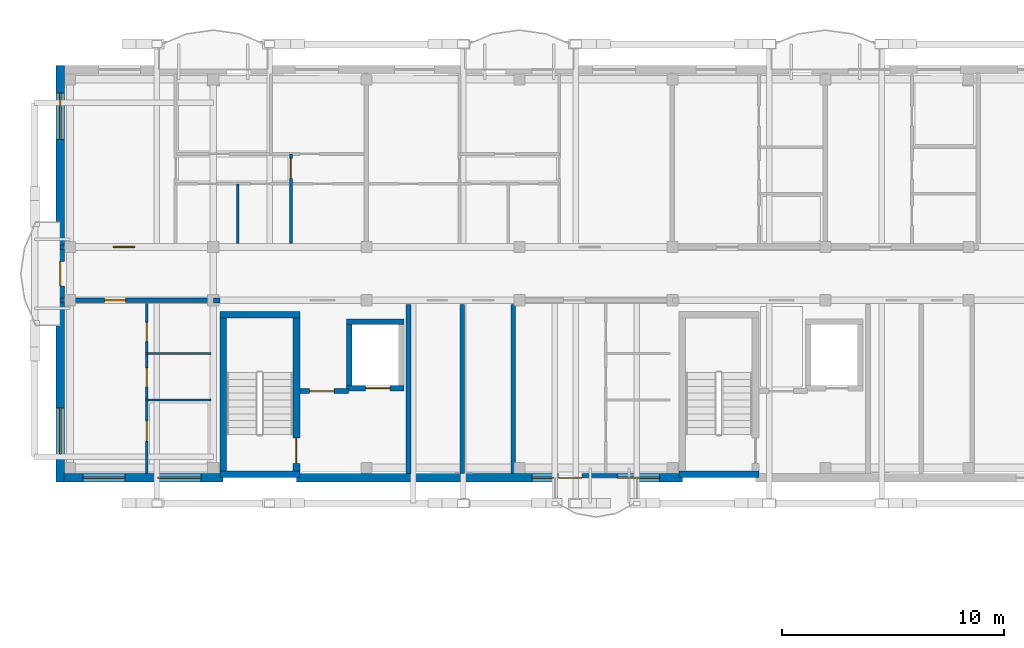
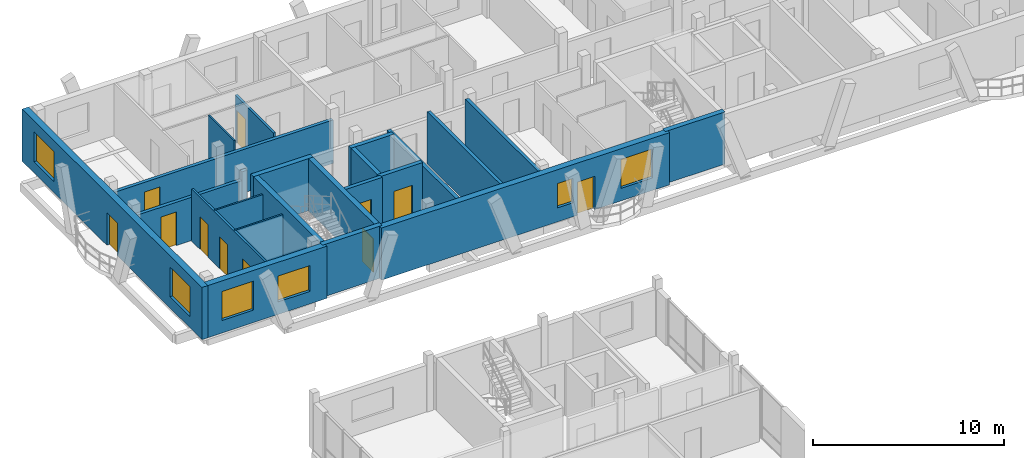
# One storey, part 151 of 189: 23 walls, 11 doors, 6 windows, 17 openings.
"""IFC4 building model written with IfcOpenShell, lengths in metres."""

from ifc_helpers import new_model, si_unit, direction, frame, frame_2d, origin, origin_with_axes, place, context, subcontext, project, spatial, rectangle, extrude, material, layer, layer_set, type_object, element, fill, save


model = new_model("IFC4")

# Units and contexts
model_context = context("Model", 3, precision=1e-05, world=origin(), true_north=direction((0.0, 1.0)))
body_context = subcontext(model_context, "Body", "Model", "MODEL_VIEW")
ifc_project = project(units=[si_unit("LENGTHUNIT", "METRE"), si_unit("AREAUNIT", "SQUARE_METRE"), si_unit("VOLUMEUNIT", "CUBIC_METRE"), si_unit("PLANEANGLEUNIT", "RADIAN"), si_unit("MASSUNIT", "GRAM", prefix="KILO")], contexts=[model_context])

# Site, building, storey
site_placement = place(None, origin())
site = spatial("IfcSite", under=ifc_project, at=site_placement, CompositionType="ELEMENT")
building_placement = place(site_placement, origin())
building = spatial("IfcBuilding", under=site, at=building_placement, Name="Zavelmont Quarter", CompositionType="ELEMENT")
storey_placement = place(building_placement, frame((0.0, 0.0, 4.39990234375)))
storey = spatial("IfcBuildingStorey", under=building, at=storey_placement, Name="L01", CompositionType="ELEMENT", Elevation=4.39990234375)

# Wall, openings, windows
ifc_material_1 = material(Name="Natural Belgian limestone", Category="masonry")
ifc_layer_1 = layer(ifc_material_1, 0.3798828125)
ifc_layer_set_1 = layer_set([ifc_layer_1], Name="Natural Belgian limestone")
wall_type_1 = type_object("IfcWallType", Name="EW01", PredefinedType="STANDARD", material=ifc_layer_set_1)
wall_1_placement = place(storey_placement, frame((0.179931640625, 97.60009765625, 0.0), z_axis=(0.0, 0.0, 1.0), x_axis=(1.0, 0.0, 0.0)))
wall_1 = element("IfcWall", 1, at=wall_1_placement, inside=storey, type_object=wall_type_1, Name="L01 exterior limestone wall EW01", PredefinedType="STANDARD", context=body_context, shape_type="SweptSolid", body=[
    extrude(rectangle(XDim=7.170166015625, YDim=0.3798828125, at=frame_2d((3.5849609375, 0.0))), origin(), (0.0, 0.0, 1.0), 3.330078125),
])
opening_1_placement = place(wall_1_placement, frame((0.840087890625, 0.0, 0.800048828125)))
opening_1 = element("IfcOpeningElement", 2, at=opening_1_placement, cuts=wall_1, Name="Opening WN20", PredefinedType="OPENING", context=body_context, shape_type="SweptSolid", body=[
    extrude(rectangle(XDim=1.89990234375, YDim=1.85009765625, at=frame_2d((0.949951171875, 0.925048828125))), frame((0.0, 0.201904296875, 0.0), z_axis=(0.0, -1.0, 0.0), x_axis=(1.0, 0.0, 0.0)), (0.0, 0.0, 1.0), 0.40380859375),
])
opening_2_placement = place(wall_1_placement, frame((4.215087890625, 0.0, 0.800048828125)))
opening_2 = element("IfcOpeningElement", 3, at=opening_2_placement, cuts=wall_1, Name="Opening WN24", PredefinedType="OPENING", context=body_context, shape_type="SweptSolid", body=[
    extrude(rectangle(XDim=1.949951171875, YDim=1.64990234375, at=frame_2d((0.97509765625, 0.824951171875))), frame((0.0, 0.201904296875, 0.0), z_axis=(0.0, -1.0, 0.0), x_axis=(1.0, 0.0, 0.0)), (0.0, 0.0, 1.0), 0.40380859375),
])
ifc_material_2 = material(Name="Double low-E insulated glazing in thermally broken aluminium frame", Category="aluminium")
window_type_1 = type_object("IfcWindowType", Name="WN20", PartitioningType="SINGLE_PANEL", PredefinedType="WINDOW", material=ifc_material_2)
window_1_placement = place(opening_1_placement, origin_with_axes())
window_1 = element("IfcWindow", 4, at=window_1_placement, inside=storey, type_object=window_type_1, Name="L01 window WN20", OverallHeight=1.85009765625, OverallWidth=1.89990234375, PartitioningType="SINGLE_PANEL", PredefinedType="WINDOW", context=body_context, shape_type="SweptSolid", body=[
    extrude(rectangle(XDim=1.89990234375, YDim=1.85009765625, at=frame_2d((0.949951171875, 0.925048828125))), frame((0.0, 0.030029296875, 0.0), z_axis=(0.0, -1.0, 0.0), x_axis=(1.0, 0.0, 0.0)), (0.0, 0.0, 1.0), 0.06005859375),
])
fill(opening_1, window_1)
window_type_2 = type_object("IfcWindowType", Name="WN24", PartitioningType="SINGLE_PANEL", PredefinedType="WINDOW", material=ifc_material_2)
window_2_placement = place(opening_2_placement, origin_with_axes())
window_2 = element("IfcWindow", 5, at=window_2_placement, inside=storey, type_object=window_type_2, Name="L01 window WN24", OverallHeight=1.64990234375, OverallWidth=1.949951171875, PartitioningType="SINGLE_PANEL", PredefinedType="WINDOW", context=body_context, shape_type="SweptSolid", body=[
    extrude(rectangle(XDim=1.949951171875, YDim=1.64990234375, at=frame_2d((0.97509765625, 0.824951171875))), frame((0.0, 0.030029296875, 0.0), z_axis=(0.0, -1.0, 0.0), x_axis=(1.0, 0.0, 0.0)), (0.0, 0.0, 1.0), 0.06005859375),
])
fill(opening_2, window_2)

# Wall, openings, door, windows
wall_2_placement = place(storey_placement, frame((10.64990234375, 97.60009765625, 0.0), z_axis=(0.0, 0.0, 1.0), x_axis=(1.0, 0.0, 0.0)))
wall_2 = element("IfcWall", 6, at=wall_2_placement, inside=storey, type_object=wall_type_1, Name="L01 exterior limestone wall EW01", PredefinedType="STANDARD", context=body_context, shape_type="SweptSolid", body=[
    extrude(rectangle(XDim=17.400146484375, YDim=0.3798828125, at=frame_2d((8.7001953125, 0.0))), origin(), (0.0, 0.0, 1.0), 3.330078125),
])
opening_3_placement = place(wall_2_placement, frame((11.82470703125, 0.0, 0.0)))
opening_3 = element("IfcOpeningElement", 7, at=opening_3_placement, cuts=wall_2, Name="Opening DR04A", PredefinedType="OPENING", context=body_context, shape_type="SweptSolid", body=[
    extrude(rectangle(XDim=1.050048828125, YDim=2.1201171875, at=frame_2d((0.52490234375, 1.06005859375))), frame((0.0, 0.201904296875, 0.0), z_axis=(0.0, -1.0, 0.0), x_axis=(1.0, 0.0, 0.0)), (0.0, 0.0, 1.0), 0.40380859375),
])
opening_4_placement = place(wall_2_placement, frame((10.6201171875, 0.0, 0.89990234375)))
opening_4 = element("IfcOpeningElement", 8, at=opening_4_placement, cuts=wall_2, Name="Opening WN04", PredefinedType="OPENING", context=body_context, shape_type="SweptSolid", body=[
    extrude(rectangle(XDim=0.949951171875, YDim=1.550048828125, at=frame_2d((0.47509765625, 0.77490234375))), frame((0.0, 0.201904296875, 0.0), z_axis=(0.0, -1.0, 0.0), x_axis=(1.0, 0.0, 0.0)), (0.0, 0.0, 1.0), 0.40380859375),
])
opening_5_placement = place(wall_2_placement, frame((14.469970703125, 0.0, 0.800048828125)))
opening_5 = element("IfcOpeningElement", 9, at=opening_5_placement, cuts=wall_2, Name="Opening WN20", PredefinedType="OPENING", context=body_context, shape_type="SweptSolid", body=[
    extrude(rectangle(XDim=1.89990234375, YDim=1.85009765625, at=frame_2d((0.949951171875, 0.925048828125))), frame((0.0, 0.201904296875, 0.0), z_axis=(0.0, -1.0, 0.0), x_axis=(1.0, 0.0, 0.0)), (0.0, 0.0, 1.0), 0.40380859375),
])
ifc_material_3 = material(Name="Thermally broken aluminium and double safety glass", Category="aluminium")
door_type_1 = type_object("IfcDoorType", Name="DR04A", OperationType="NOTDEFINED", PredefinedType="DOOR", material=ifc_material_3)
door_1_placement = place(opening_3_placement, origin_with_axes())
door_1 = element("IfcDoor", 10, at=door_1_placement, inside=storey, type_object=door_type_1, Name="Block B L01 glazed balcony door", OperationType="SINGLE_SWING_RIGHT", OverallHeight=2.1201171875, OverallWidth=1.050048828125, PredefinedType="DOOR", context=body_context, shape_type="SweptSolid", body=[
    extrude(rectangle(XDim=1.050048828125, YDim=2.1201171875, at=frame_2d((0.52490234375, 1.06005859375))), frame((0.0, 0.02490234375, 0.0), z_axis=(0.0, -1.0, 0.0), x_axis=(1.0, 0.0, 0.0)), (0.0, 0.0, 1.0), 0.050048828125),
])
fill(opening_3, door_1)
window_type_3 = type_object("IfcWindowType", Name="WN04", PartitioningType="SINGLE_PANEL", PredefinedType="WINDOW", material=ifc_material_2)
window_3_placement = place(opening_4_placement, origin_with_axes())
window_3 = element("IfcWindow", 11, at=window_3_placement, inside=storey, type_object=window_type_3, Name="L01 window WN04", OverallHeight=1.550048828125, OverallWidth=0.949951171875, PartitioningType="SINGLE_PANEL", PredefinedType="WINDOW", context=body_context, shape_type="SweptSolid", body=[
    extrude(rectangle(XDim=0.949951171875, YDim=1.550048828125, at=frame_2d((0.47509765625, 0.77490234375))), frame((0.0, 0.030029296875, 0.0), z_axis=(0.0, -1.0, 0.0), x_axis=(1.0, 0.0, 0.0)), (0.0, 0.0, 1.0), 0.06005859375),
])
fill(opening_4, window_3)
window_4_placement = place(opening_5_placement, origin_with_axes())
window_4 = element("IfcWindow", 12, at=window_4_placement, inside=storey, type_object=window_type_1, Name="L01 window WN20", OverallHeight=1.85009765625, OverallWidth=1.89990234375, PartitioningType="SINGLE_PANEL", PredefinedType="WINDOW", context=body_context, shape_type="SweptSolid", body=[
    extrude(rectangle(XDim=1.89990234375, YDim=1.85009765625, at=frame_2d((0.949951171875, 0.925048828125))), frame((0.0, 0.030029296875, 0.0), z_axis=(0.0, -1.0, 0.0), x_axis=(1.0, 0.0, 0.0)), (0.0, 0.0, 1.0), 0.06005859375),
])
fill(opening_5, window_4)

wall_3_placement = place(storey_placement, frame((0.0, 97.409912109375, 0.0), z_axis=(0.0, 0.0, 1.0), x_axis=(0.0, 1.0, 0.0)))
wall_3 = element("IfcWall", 13, at=wall_3_placement, inside=storey, type_object=wall_type_1, Name="L01 exterior limestone wall EW01", PredefinedType="STANDARD", context=body_context, shape_type="SweptSolid", body=[
    extrude(rectangle(XDim=18.780029296875, YDim=0.3798828125, at=frame_2d((9.39013671875, 0.0))), origin(), (0.0, 0.0, 1.0), 3.330078125),
])
opening_6_placement = place(wall_3_placement, frame((8.840087890625, 0.0, 0.0)))
opening_6 = element("IfcOpeningElement", 14, at=opening_6_placement, cuts=wall_3, Name="Opening DR04B", PredefinedType="OPENING", context=body_context, shape_type="SweptSolid", body=[
    extrude(rectangle(XDim=1.10009765625, YDim=2.10009765625, at=frame_2d((0.550048828125, 1.050048828125))), frame((0.0, 0.201904296875, 0.0), z_axis=(0.0, -1.0, 0.0), x_axis=(1.0, 0.0, 0.0)), (0.0, 0.0, 1.0), 0.40380859375),
])
opening_7_placement = place(wall_3_placement, frame((1.239990234375, 0.0, 0.719970703125)))
opening_7 = element("IfcOpeningElement", 15, at=opening_7_placement, cuts=wall_3, Name="Opening WN05", PredefinedType="OPENING", context=body_context, shape_type="SweptSolid", body=[
    extrude(rectangle(XDim=2.10009765625, YDim=1.89990234375, at=frame_2d((1.050048828125, 0.949951171875))), frame((0.0, 0.201904296875, 0.0), z_axis=(0.0, -1.0, 0.0), x_axis=(1.0, 0.0, 0.0)), (0.0, 0.0, 1.0), 0.40380859375),
])
opening_8_placement = place(wall_3_placement, frame((15.43994140625, 0.0, 0.719970703125)))
opening_8 = element("IfcOpeningElement", 16, at=opening_8_placement, cuts=wall_3, Name="Opening WN05", PredefinedType="OPENING", context=body_context, shape_type="SweptSolid", body=[
    extrude(rectangle(XDim=2.10009765625, YDim=1.89990234375, at=frame_2d((1.050048828125, 0.949951171875))), frame((0.0, 0.201904296875, 0.0), z_axis=(0.0, -1.0, 0.0), x_axis=(1.0, 0.0, 0.0)), (0.0, 0.0, 1.0), 0.40380859375),
])
door_type_2 = type_object("IfcDoorType", Name="DR04B", OperationType="NOTDEFINED", PredefinedType="DOOR", material=ifc_material_3)
door_2_placement = place(opening_6_placement, frame((1.10009765625, 0.0, 0.0), z_axis=(0.0, 0.0, 1.0), x_axis=(-1.0, 0.0, 0.0)))
door_2 = element("IfcDoor", 17, at=door_2_placement, inside=storey, type_object=door_type_2, Name="Block B L01 terrace or vase balcony door", OperationType="SINGLE_SWING_RIGHT", OverallHeight=2.10009765625, OverallWidth=1.10009765625, PredefinedType="DOOR", context=body_context, shape_type="SweptSolid", body=[
    extrude(rectangle(XDim=1.10009765625, YDim=2.10009765625, at=frame_2d((0.550048828125, 1.050048828125))), frame((0.0, 0.02490234375, 0.0), z_axis=(0.0, -1.0, 0.0), x_axis=(1.0, 0.0, 0.0)), (0.0, 0.0, 1.0), 0.050048828125),
])
fill(opening_6, door_2)
window_type_4 = type_object("IfcWindowType", Name="WN05", PartitioningType="SINGLE_PANEL", PredefinedType="WINDOW", material=ifc_material_2)
window_5_placement = place(opening_7_placement, origin_with_axes())
window_5 = element("IfcWindow", 18, at=window_5_placement, inside=storey, type_object=window_type_4, Name="L01 window WN05", OverallHeight=1.89990234375, OverallWidth=2.10009765625, PartitioningType="SINGLE_PANEL", PredefinedType="WINDOW", context=body_context, shape_type="SweptSolid", body=[
    extrude(rectangle(XDim=2.10009765625, YDim=1.89990234375, at=frame_2d((1.050048828125, 0.949951171875))), frame((0.0, 0.030029296875, 0.0), z_axis=(0.0, -1.0, 0.0), x_axis=(1.0, 0.0, 0.0)), (0.0, 0.0, 1.0), 0.06005859375),
])
fill(opening_7, window_5)
window_6_placement = place(opening_8_placement, origin_with_axes())
window_6 = element("IfcWindow", 19, at=window_6_placement, inside=storey, type_object=window_type_4, Name="L01 window WN05", OverallHeight=1.89990234375, OverallWidth=2.10009765625, PartitioningType="SINGLE_PANEL", PredefinedType="WINDOW", context=body_context, shape_type="SweptSolid", body=[
    extrude(rectangle(XDim=2.10009765625, YDim=1.89990234375, at=frame_2d((1.050048828125, 0.949951171875))), frame((0.0, 0.030029296875, 0.0), z_axis=(0.0, -1.0, 0.0), x_axis=(1.0, 0.0, 0.0)), (0.0, 0.0, 1.0), 0.06005859375),
])
fill(opening_8, window_6)

# Walls
ifc_material_4 = material(Name="Calcium-silicate blockwork and acoustic plaster", Category="masonry")
ifc_layer_2 = layer(ifc_material_4, 0.199951171875)
ifc_layer_set_2 = layer_set([ifc_layer_2], Name="Calcium-silicate blockwork and acoustic plaster")
wall_type_2 = type_object("IfcWallType", Name="IW01", PredefinedType="PARTITIONING", material=ifc_layer_set_2)
for number, where, z_axis, x_axis, name in (
    (20, (18.125, 97.800048828125, 0.0), (0.0, 0.0, 1.0), (0.0, 1.0, 0.0), "L01 Service riser divider wall IW01"),
    (21, (20.419921875, 97.800048828125, 0.0), (0.0, 0.0, 1.0), (0.0, 1.0, 0.0), "L01 Core service end wall IW01"),
):
    element("IfcWall", number, at=place(storey_placement, frame(where, z_axis=z_axis, x_axis=x_axis)), inside=storey, type_object=wall_type_2, Name=name, PredefinedType="PARTITIONING", context=body_context, shape_type="SweptSolid", body=[
        extrude(rectangle(XDim=7.599853515625, YDim=0.199951171875, at=frame_2d((3.7998046875, 0.0))), origin(), (0.0, 0.0, 1.0), 3.330078125),
    ])

# Wall, opening, door
wall_4_placement = place(storey_placement, frame((0.0, 108.0, 0.0), z_axis=(0.0, 0.0, 1.0), x_axis=(1.0, 0.0, 0.0)))
wall_4 = element("IfcWall", 22, at=wall_4_placement, inside=storey, type_object=wall_type_2, Name="L01 Corridor compartment wall IW01", PredefinedType="PARTITIONING", context=body_context, shape_type="SweptSolid", body=[
    extrude(rectangle(XDim=13.800048828125, YDim=0.199951171875, at=frame_2d((6.89990234375, 0.0))), origin(), (0.0, 0.0, 1.0), 2.77001953125),
])
opening_9_placement = place(wall_4_placement, frame((2.39990234375, 0.0, 0.0)))
opening_9 = element("IfcOpeningElement", 23, at=opening_9_placement, cuts=wall_4, Name="Opening DR02", PredefinedType="OPENING", context=body_context, shape_type="SweptSolid", body=[
    extrude(rectangle(XDim=0.949951171875, YDim=2.14990234375, at=frame_2d((0.47509765625, 1.074951171875))), frame((0.0, 0.11181640625, 0.0), z_axis=(0.0, -1.0, 0.0), x_axis=(1.0, 0.0, 0.0)), (0.0, 0.0, 1.0), 0.223876953125),
])
ifc_material_5 = material(Name="Solid-core oak fire leaf in steel frame", Category="steel")
door_type_3 = type_object("IfcDoorType", Name="DR02", OperationType="NOTDEFINED", PredefinedType="DOOR", material=ifc_material_5)
door_3_placement = place(opening_9_placement, origin_with_axes())
door_3 = element("IfcDoor", 24, at=door_3_placement, inside=storey, type_object=door_type_3, Name="L01 door DR02", OperationType="SINGLE_SWING_LEFT", OverallHeight=2.14990234375, OverallWidth=0.949951171875, PredefinedType="DOOR", context=body_context, shape_type="SweptSolid", body=[
    extrude(rectangle(XDim=0.949951171875, YDim=2.14990234375, at=frame_2d((0.47509765625, 1.074951171875))), frame((0.0, 0.02490234375, 0.0), z_axis=(0.0, -1.0, 0.0), x_axis=(1.0, 0.0, 0.0)), (0.0, 0.0, 1.0), 0.050048828125),
])
fill(opening_9, door_3)

wall_5_placement = place(storey_placement, frame((0.0, 105.60009765625, 0.0), z_axis=(0.0, 0.0, 1.0), x_axis=(1.0, 0.0, 0.0)))
wall_5 = element("IfcWall", 25, at=wall_5_placement, inside=storey, type_object=wall_type_2, Name="L01 Corridor compartment wall IW01", PredefinedType="PARTITIONING", context=body_context, shape_type="SweptSolid", body=[
    extrude(rectangle(XDim=6.89990234375, YDim=0.199951171875, at=frame_2d((3.449951171875, 0.0))), origin(), (0.0, 0.0, 1.0), 2.77001953125),
])
opening_10_placement = place(wall_5_placement, frame((2.0, 0.0, 0.0)))
opening_10 = element("IfcOpeningElement", 26, at=opening_10_placement, cuts=wall_5, Name="Opening DR02", PredefinedType="OPENING", context=body_context, shape_type="SweptSolid", body=[
    extrude(rectangle(XDim=0.949951171875, YDim=2.14990234375, at=frame_2d((0.47509765625, 1.074951171875))), frame((0.0, 0.11181640625, 0.0), z_axis=(0.0, -1.0, 0.0), x_axis=(1.0, 0.0, 0.0)), (0.0, 0.0, 1.0), 0.223876953125),
])
door_4_placement = place(opening_10_placement, frame((0.949951171875, 0.0, 0.0), z_axis=(0.0, 0.0, 1.0), x_axis=(-1.0, 0.0, 0.0)))
door_4 = element("IfcDoor", 27, at=door_4_placement, inside=storey, type_object=door_type_3, Name="L01 door DR02", OperationType="SINGLE_SWING_RIGHT", OverallHeight=2.14990234375, OverallWidth=0.949951171875, PredefinedType="DOOR", context=body_context, shape_type="SweptSolid", body=[
    extrude(rectangle(XDim=0.949951171875, YDim=2.14990234375, at=frame_2d((0.47509765625, 1.074951171875))), frame((0.0, 0.02490234375, 0.0), z_axis=(0.0, -1.0, 0.0), x_axis=(1.0, 0.0, 0.0)), (0.0, 0.0, 1.0), 0.050048828125),
])
fill(opening_10, door_4)

# Wall
ifc_material_6 = material(Name="Reinforced masonry fire compartment wall", Category="masonry")
ifc_layer_3 = layer(ifc_material_6, 0.22509765625)
ifc_layer_set_3 = layer_set([ifc_layer_3], Name="Reinforced masonry fire compartment wall")
wall_type_3 = type_object("IfcWallType", Name="IW02", PredefinedType="PARTITIONING", material=ifc_layer_set_3)
wall_6_placement = place(storey_placement, frame((15.7099609375, 97.800048828125, 0.0), z_axis=(0.0, 0.0, 1.0), x_axis=(0.0, 1.0, 0.0)))
element("IfcWall", 28, at=wall_6_placement, inside=storey, type_object=wall_type_3, Name="L01 Firefighting lobby enclosure wall IW02", PredefinedType="PARTITIONING", context=body_context, shape_type="SweptSolid", body=[
    extrude(rectangle(XDim=7.599853515625, YDim=0.22509765625, at=frame_2d((3.7998046875, 0.0))), origin(), (0.0, 0.0, 1.0), 2.989990234375),
])

# Wall, opening, door
wall_7_placement = place(storey_placement, frame((10.800048828125, 101.5, 0.0), z_axis=(0.0, 0.0, 1.0), x_axis=(1.0, 0.0, 0.0)))
wall_7 = element("IfcWall", 29, at=wall_7_placement, inside=storey, type_object=wall_type_3, Name="L01 Firefighting lobby threshold wall IW02", PredefinedType="PARTITIONING", context=body_context, shape_type="SweptSolid", body=[
    extrude(rectangle(XDim=2.199951171875, YDim=0.22509765625, at=frame_2d((1.10009765625, 0.0))), origin(), (0.0, 0.0, 1.0), 3.330078125),
])
opening_11_placement = place(wall_7_placement, frame((0.449951171875, 0.0, 0.0)))
opening_11 = element("IfcOpeningElement", 30, at=opening_11_placement, cuts=wall_7, Name="Opening DR10", PredefinedType="OPENING", context=body_context, shape_type="SweptSolid", body=[
    extrude(rectangle(XDim=1.10009765625, YDim=2.14990234375, at=frame_2d((0.550048828125, 1.074951171875))), frame((0.0, 0.12451171875, 0.0), z_axis=(0.0, -1.0, 0.0), x_axis=(1.0, 0.0, 0.0)), (0.0, 0.0, 1.0), 0.2490234375),
])
ifc_material_7 = material(Name="Painted steel lobby fire door", Category="steel")
door_type_4 = type_object("IfcDoorType", Name="DR10", OperationType="NOTDEFINED", PredefinedType="DOOR", material=ifc_material_7)
door_5_placement = place(opening_11_placement, frame((1.10009765625, 0.0, 0.0), z_axis=(0.0, 0.0, 1.0), x_axis=(-1.0, 0.0, 0.0)))
door_5 = element("IfcDoor", 31, at=door_5_placement, inside=storey, type_object=door_type_4, Name="Firefighting lobby fire door", OperationType="SINGLE_SWING_LEFT", OverallHeight=2.14990234375, OverallWidth=1.10009765625, PredefinedType="DOOR", context=body_context, shape_type="SweptSolid", body=[
    extrude(rectangle(XDim=1.10009765625, YDim=2.14990234375, at=frame_2d((0.550048828125, 1.074951171875))), frame((0.0, 0.02490234375, 0.0), z_axis=(0.0, -1.0, 0.0), x_axis=(1.0, 0.0, 0.0)), (0.0, 0.0, 1.0), 0.050048828125),
])
fill(opening_11, door_5)

# Wall
wall_8_placement = place(storey_placement, frame((6.89990234375, 105.60009765625, 0.0), z_axis=(0.0, 0.0, 1.0), x_axis=(1.0, 0.0, 0.0)))
element("IfcWall", 32, at=wall_8_placement, inside=storey, type_object=wall_type_3, Name="L01 Core corridor wall IW02", PredefinedType="PARTITIONING", context=body_context, shape_type="SweptSolid", body=[
    extrude(rectangle(XDim=0.300048828125, YDim=0.22509765625, at=frame_2d((0.14990234375, 0.0))), origin(), (0.0, 0.0, 1.0), 3.330078125),
])

# Wall, opening, door
ifc_material_8 = material(Name="Double gypsum board on acoustic steel stud", Category="steel")
ifc_layer_4 = layer(ifc_material_8, 0.125)
ifc_layer_set_4 = layer_set([ifc_layer_4], Name="Double gypsum board on acoustic steel stud")
wall_type_4 = type_object("IfcWallType", Name="IW03", PredefinedType="PARTITIONING", material=ifc_layer_set_4)
wall_9_placement = place(storey_placement, frame((10.39990234375, 108.14990234375, 0.0), z_axis=(0.0, 0.0, 1.0), x_axis=(0.0, 1.0, 0.0)))
wall_9 = element("IfcWall", 33, at=wall_9_placement, inside=storey, type_object=wall_type_4, Name="L01 Partition IW03", PredefinedType="PARTITIONING", context=body_context, shape_type="SweptSolid", body=[
    extrude(rectangle(XDim=4.050048828125, YDim=0.125, at=frame_2d((2.02490234375, 0.0))), origin(), (0.0, 0.0, 1.0), 2.989990234375),
])
opening_12_placement = place(wall_9_placement, frame((2.949951171875, 0.0, 0.0)))
opening_12 = element("IfcOpeningElement", 34, at=opening_12_placement, cuts=wall_9, Name="Opening DR05", PredefinedType="OPENING", context=body_context, shape_type="SweptSolid", body=[
    extrude(rectangle(XDim=0.89990234375, YDim=2.10009765625, at=frame_2d((0.449951171875, 1.050048828125))), frame((0.0, 0.074462890625, 0.0), z_axis=(0.0, -1.0, 0.0), x_axis=(1.0, 0.0, 0.0)), (0.0, 0.0, 1.0), 0.14892578125),
])
ifc_material_9 = material(Name="Engineered oak flush interior door")
door_type_5 = type_object("IfcDoorType", Name="DR05", OperationType="NOTDEFINED", PredefinedType="DOOR", material=ifc_material_9)
door_6_placement = place(opening_12_placement, origin_with_axes())
door_6 = element("IfcDoor", 35, at=door_6_placement, inside=storey, type_object=door_type_5, Name="L01 door DR05", OperationType="SINGLE_SWING_RIGHT", OverallHeight=2.10009765625, OverallWidth=0.89990234375, PredefinedType="DOOR", context=body_context, shape_type="SweptSolid", body=[
    extrude(rectangle(XDim=0.89990234375, YDim=2.10009765625, at=frame_2d((0.449951171875, 1.050048828125))), frame((0.0, 0.02490234375, 0.0), z_axis=(0.0, -1.0, 0.0), x_axis=(1.0, 0.0, 0.0)), (0.0, 0.0, 1.0), 0.050048828125),
])
fill(opening_12, door_6)

# Wall, openings, doors
wall_10_placement = place(storey_placement, frame((3.89990234375, 105.449951171875, 0.0), z_axis=(0.0, 0.0, 1.0), x_axis=(0.0, -1.0, 0.0)))
wall_10 = element("IfcWall", 36, at=wall_10_placement, inside=storey, type_object=wall_type_4, Name="L01 Partition IW03", PredefinedType="PARTITIONING", context=body_context, shape_type="SweptSolid", body=[
    extrude(rectangle(XDim=7.64990234375, YDim=0.125, at=frame_2d((3.824951171875, 0.0))), origin(), (0.0, 0.0, 1.0), 3.330078125),
])
opening_13_placement = place(wall_10_placement, frame((0.85009765625, 0.0, 0.0)))
opening_13 = element("IfcOpeningElement", 37, at=opening_13_placement, cuts=wall_10, Name="Opening DR16", PredefinedType="OPENING", context=body_context, shape_type="SweptSolid", body=[
    extrude(rectangle(XDim=0.85009765625, YDim=2.10009765625, at=frame_2d((0.425048828125, 1.050048828125))), frame((0.0, 0.074462890625, 0.0), z_axis=(0.0, -1.0, 0.0), x_axis=(1.0, 0.0, 0.0)), (0.0, 0.0, 1.0), 0.14892578125),
])
opening_14_placement = place(wall_10_placement, frame((2.89990234375, 0.0, 0.0)))
opening_14 = element("IfcOpeningElement", 38, at=opening_14_placement, cuts=wall_10, Name="Opening DR06", PredefinedType="OPENING", context=body_context, shape_type="SweptSolid", body=[
    extrude(rectangle(XDim=0.85009765625, YDim=2.050048828125, at=frame_2d((0.425048828125, 1.02490234375))), frame((0.0, 0.074462890625, 0.0), z_axis=(0.0, -1.0, 0.0), x_axis=(1.0, 0.0, 0.0)), (0.0, 0.0, 1.0), 0.14892578125),
])
opening_15_placement = place(wall_10_placement, frame((5.300048828125, 0.0, 0.0)))
opening_15 = element("IfcOpeningElement", 39, at=opening_15_placement, cuts=wall_10, Name="Opening DR05", PredefinedType="OPENING", context=body_context, shape_type="SweptSolid", body=[
    extrude(rectangle(XDim=0.89990234375, YDim=2.10009765625, at=frame_2d((0.449951171875, 1.050048828125))), frame((0.0, 0.074462890625, 0.0), z_axis=(0.0, -1.0, 0.0), x_axis=(1.0, 0.0, 0.0)), (0.0, 0.0, 1.0), 0.14892578125),
])
door_7_placement = place(opening_15_placement, origin_with_axes())
door_7 = element("IfcDoor", 40, at=door_7_placement, inside=storey, type_object=door_type_5, Name="L01 door DR05", OperationType="SINGLE_SWING_RIGHT", OverallHeight=2.10009765625, OverallWidth=0.89990234375, PredefinedType="DOOR", context=body_context, shape_type="SweptSolid", body=[
    extrude(rectangle(XDim=0.89990234375, YDim=2.10009765625, at=frame_2d((0.449951171875, 1.050048828125))), frame((0.0, 0.02490234375, 0.0), z_axis=(0.0, -1.0, 0.0), x_axis=(1.0, 0.0, 0.0)), (0.0, 0.0, 1.0), 0.050048828125),
])
fill(opening_15, door_7)
ifc_material_10 = material(Name="Moisture-resistant painted wet-room door")
door_type_6 = type_object("IfcDoorType", Name="DR06", OperationType="NOTDEFINED", PredefinedType="DOOR", material=ifc_material_10)
door_8_placement = place(opening_14_placement, frame((0.85009765625, 0.0, 0.0), z_axis=(0.0, 0.0, 1.0), x_axis=(-1.0, 0.0, 0.0)))
door_8 = element("IfcDoor", 41, at=door_8_placement, inside=storey, type_object=door_type_6, Name="L01 door DR06", OperationType="SINGLE_SWING_LEFT", OverallHeight=2.050048828125, OverallWidth=0.85009765625, PredefinedType="DOOR", context=body_context, shape_type="SweptSolid", body=[
    extrude(rectangle(XDim=0.85009765625, YDim=2.050048828125, at=frame_2d((0.425048828125, 1.02490234375))), frame((0.0, 0.02490234375, 0.0), z_axis=(0.0, -1.0, 0.0), x_axis=(1.0, 0.0, 0.0)), (0.0, 0.0, 1.0), 0.050048828125),
])
fill(opening_14, door_8)
door_type_7 = type_object("IfcDoorType", Name="DR16", OperationType="NOTDEFINED", PredefinedType="DOOR", material=ifc_material_9)
door_9_placement = place(opening_13_placement, origin_with_axes())
door_9 = element("IfcDoor", 42, at=door_9_placement, inside=storey, type_object=door_type_7, Name="L01 door DR16", OperationType="SINGLE_SWING_RIGHT", OverallHeight=2.10009765625, OverallWidth=0.85009765625, PredefinedType="DOOR", context=body_context, shape_type="SweptSolid", body=[
    extrude(rectangle(XDim=0.85009765625, YDim=2.10009765625, at=frame_2d((0.425048828125, 1.050048828125))), frame((0.0, 0.02490234375, 0.0), z_axis=(0.0, -1.0, 0.0), x_axis=(1.0, 0.0, 0.0)), (0.0, 0.0, 1.0), 0.050048828125),
])
fill(opening_13, door_9)

# Walls
ifc_material_11 = material(Name="Moisture-resistant gypsum board on steel stud", Category="steel")
ifc_layer_5 = layer(ifc_material_11, 0.10009765625)
ifc_layer_set_5 = layer_set([ifc_layer_5], Name="Moisture-resistant gypsum board on steel stud")
wall_type_5 = type_object("IfcWallType", Name="IW04", PredefinedType="PARTITIONING", material=ifc_layer_set_5)
wall_11_placement = place(storey_placement, frame((8.0, 108.14990234375, 0.0), z_axis=(0.0, 0.0, 1.0), x_axis=(0.0, 1.0, 0.0)))
element("IfcWall", 43, at=wall_11_placement, inside=storey, type_object=wall_type_5, Name="L01 Partition IW04", PredefinedType="PARTITIONING", context=body_context, shape_type="SweptSolid", body=[
    extrude(rectangle(XDim=2.7001953125, YDim=0.10009765625, at=frame_2d((1.35009765625, 0.0))), origin(), (0.0, 0.0, 1.0), 3.330078125),
])
for number, where, z_axis, x_axis, name in (
    (44, (3.89990234375, 103.199951171875, 0.0), (0.0, 0.0, 1.0), (1.0, 0.0, 0.0), "L01 Partition IW04"),
    (45, (3.89990234375, 101.10009765625, 0.0), (0.0, 0.0, 1.0), (1.0, 0.0, 0.0), "L01 Partition IW04"),
):
    element("IfcWall", number, at=place(storey_placement, frame(where, z_axis=z_axis, x_axis=x_axis)), inside=storey, type_object=wall_type_5, Name=name, PredefinedType="PARTITIONING", context=body_context, shape_type="SweptSolid", body=[
        extrude(rectangle(XDim=2.900146484375, YDim=0.10009765625, at=frame_2d((1.4501953125, 0.0))), origin(), (0.0, 0.0, 1.0), 3.330078125),
    ])
ifc_material_12 = material(Name="Concrete C40/50", Category="concrete")
ifc_layer_6 = layer(ifc_material_12, 0.300048828125)
ifc_layer_set_6 = layer_set([ifc_layer_6], Name="Concrete C40/50")
wall_type_6 = type_object("IfcWallType", Name="SW01", PredefinedType="SHEAR", material=ifc_layer_set_6)
wall_12_placement = place(storey_placement, frame((7.199951171875, 104.949951171875, 0.0), z_axis=(0.0, 0.0, 1.0), x_axis=(1.0, 0.0, 0.0)))
element("IfcWall", 46, at=wall_12_placement, inside=storey, type_object=wall_type_6, Name="L01 ST03 corridor shear wall SW01", PredefinedType="SHEAR", context=body_context, shape_type="SweptSolid", body=[
    extrude(rectangle(XDim=3.60009765625, YDim=0.300048828125, at=frame_2d((1.800048828125, 0.0))), origin(), (0.0, 0.0, 1.0), 3.330078125),
])
wall_13_placement = place(storey_placement, frame((7.35009765625, 97.60009765625, 0.0), z_axis=(0.0, 0.0, 1.0), x_axis=(0.0, 1.0, 0.0)))
element("IfcWall", 47, at=wall_13_placement, inside=storey, type_object=wall_type_6, Name="L01 ST03 west shear wall SW01", PredefinedType="SHEAR", context=body_context, shape_type="SweptSolid", body=[
    extrude(rectangle(XDim=7.5, YDim=0.300048828125, at=frame_2d((3.75, 0.0))), origin(), (0.0, 0.0, 1.0), 3.330078125),
])

# Wall, opening, door
wall_14_placement = place(storey_placement, frame((10.64990234375, 97.60009765625, 0.0), z_axis=(0.0, 0.0, 1.0), x_axis=(0.0, 1.0, 0.0)))
wall_14 = element("IfcWall", 48, at=wall_14_placement, inside=storey, type_object=wall_type_6, Name="L01 ST03 lobby shear wall SW01", PredefinedType="SHEAR", context=body_context, shape_type="SweptSolid", body=[
    extrude(rectangle(XDim=7.5, YDim=0.300048828125, at=frame_2d((3.75, 0.0))), origin(), (0.0, 0.0, 1.0), 3.330078125),
])
opening_16_placement = place(wall_14_placement, frame((0.64990234375, 0.0, 0.0)))
opening_16 = element("IfcOpeningElement", 49, at=opening_16_placement, cuts=wall_14, Name="Opening DR09", PredefinedType="OPENING", context=body_context, shape_type="SweptSolid", body=[
    extrude(rectangle(XDim=1.14990234375, YDim=2.14990234375, at=frame_2d((0.574951171875, 1.074951171875))), frame((0.0, 0.162109375, 0.0), z_axis=(0.0, -1.0, 0.0), x_axis=(1.0, 0.0, 0.0)), (0.0, 0.0, 1.0), 0.323974609375),
])
ifc_material_13 = material(Name="Painted steel stair-core fire door", Category="steel")
door_type_8 = type_object("IfcDoorType", Name="DR09", OperationType="NOTDEFINED", PredefinedType="DOOR", material=ifc_material_13)
door_10_placement = place(opening_16_placement, origin_with_axes())
door_10 = element("IfcDoor", 50, at=door_10_placement, inside=storey, type_object=door_type_8, Name="ST03 protected stair door", OperationType="SINGLE_SWING_RIGHT", OverallHeight=2.14990234375, OverallWidth=1.14990234375, PredefinedType="DOOR", context=body_context, shape_type="SweptSolid", body=[
    extrude(rectangle(XDim=1.14990234375, YDim=2.14990234375, at=frame_2d((0.574951171875, 1.074951171875))), frame((0.0, 0.02490234375, 0.0), z_axis=(0.0, -1.0, 0.0), x_axis=(1.0, 0.0, 0.0)), (0.0, 0.0, 1.0), 0.050048828125),
])
fill(opening_16, door_10)

ifc_layer_7 = layer(ifc_material_12, 0.25)
ifc_layer_set_7 = layer_set([ifc_layer_7], Name="Concrete C40/50")
wall_type_7 = type_object("IfcWallType", Name="SW02", PredefinedType="SHEAR", material=ifc_layer_set_7)
wall_15_placement = place(storey_placement, frame((12.89990234375, 101.625, 0.0), z_axis=(0.0, 0.0, 1.0), x_axis=(1.0, 0.0, 0.0)))
wall_15 = element("IfcWall", 51, at=wall_15_placement, inside=storey, type_object=wall_type_7, Name="L01 Lift FL02 landing shaft wall SW02", PredefinedType="SHEAR", context=body_context, shape_type="SweptSolid", body=[
    extrude(rectangle(XDim=2.60009765625, YDim=0.25, at=frame_2d((1.300048828125, 0.0))), origin(), (0.0, 0.0, 1.0), 3.330078125),
])
opening_17_placement = place(wall_15_placement, frame((0.875, 0.0, 0.0)))
opening_17 = element("IfcOpeningElement", 52, at=opening_17_placement, cuts=wall_15, Name="Opening LD02", PredefinedType="OPENING", context=body_context, shape_type="SweptSolid", body=[
    extrude(rectangle(XDim=1.10009765625, YDim=2.10009765625, at=frame_2d((0.550048828125, 1.050048828125))), frame((0.0, 0.136962890625, 0.0), z_axis=(0.0, -1.0, 0.0), x_axis=(1.0, 0.0, 0.0)), (0.0, 0.0, 1.0), 0.27392578125),
])
ifc_material_14 = material(Name="Brushed stainless-steel firefighting lift landing door", Category="steel")
door_type_9 = type_object("IfcDoorType", Name="LD02", OperationType="SLIDING_TO_LEFT", PredefinedType="DOOR", material=ifc_material_14)
door_11_placement = place(opening_17_placement, origin_with_axes())
door_11 = element("IfcDoor", 53, at=door_11_placement, inside=storey, type_object=door_type_9, Name="Lift FL02 sliding landing door", OperationType="SLIDING_TO_LEFT", OverallHeight=2.10009765625, OverallWidth=1.10009765625, PredefinedType="DOOR", context=body_context, shape_type="SweptSolid", body=[
    extrude(rectangle(XDim=1.10009765625, YDim=2.10009765625, at=frame_2d((0.550048828125, 1.050048828125))), frame((0.0, 0.02490234375, 0.0), z_axis=(0.0, -1.0, 0.0), x_axis=(1.0, 0.0, 0.0)), (0.0, 0.0, 1.0), 0.050048828125),
])
fill(opening_17, door_11)

# Walls
wall_16_placement = place(storey_placement, frame((12.89990234375, 104.625, 0.0), z_axis=(0.0, 0.0, 1.0), x_axis=(1.0, 0.0, 0.0)))
element("IfcWall", 54, at=wall_16_placement, inside=storey, type_object=wall_type_7, Name="L01 Lift FL02 back shaft wall SW02", PredefinedType="SHEAR", context=body_context, shape_type="SweptSolid", body=[
    extrude(rectangle(XDim=2.60009765625, YDim=0.25, at=frame_2d((1.300048828125, 0.0))), origin(), (0.0, 0.0, 1.0), 3.330078125),
])
wall_17_placement = place(storey_placement, frame((13.02490234375, 101.5, 0.0), z_axis=(0.0, 0.0, 1.0), x_axis=(0.0, 1.0, 0.0)))
element("IfcWall", 55, at=wall_17_placement, inside=storey, type_object=wall_type_7, Name="L01 Lift FL02 west shaft wall SW02", PredefinedType="SHEAR", context=body_context, shape_type="SweptSolid", body=[
    extrude(rectangle(XDim=3.25, YDim=0.25, at=frame_2d((1.625, 0.0))), origin(), (0.0, 0.0, 1.0), 3.330078125),
])
ifc_layer_8 = layer(ifc_material_12, 0.300048828125)
ifc_layer_set_8 = layer_set([ifc_layer_8], Name="Concrete C40/50")
wall_type_8 = type_object("IfcWallType", Name="SW03", PredefinedType="SHEAR", material=ifc_layer_set_8)
for number, where, z_axis, x_axis, name in (
    (56, (7.199951171875, 97.75, 0.0), (0.0, 0.0, 1.0), (1.0, 0.0, 0.0), "L01 ST03 outer shear wall SW03"),
    (57, (27.89990234375, 97.75, 0.0), (0.0, 0.0, 1.0), (1.0, 0.0, 0.0), "L01 ST04 outer shear wall SW03"),
):
    element("IfcWall", number, at=place(storey_placement, frame(where, z_axis=z_axis, x_axis=x_axis)), inside=storey, type_object=wall_type_8, Name=name, PredefinedType="SHEAR", context=body_context, shape_type="SweptSolid", body=[
        extrude(rectangle(XDim=3.60009765625, YDim=0.300048828125, at=frame_2d((1.800048828125, 0.0))), origin(), (0.0, 0.0, 1.0), 3.330078125),
    ])

save(model, "model.ifc")
